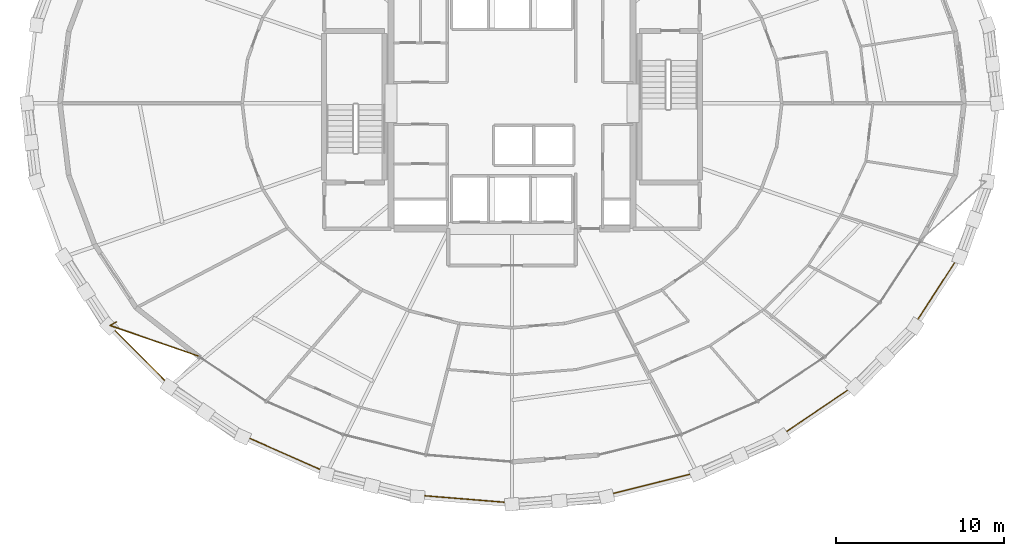
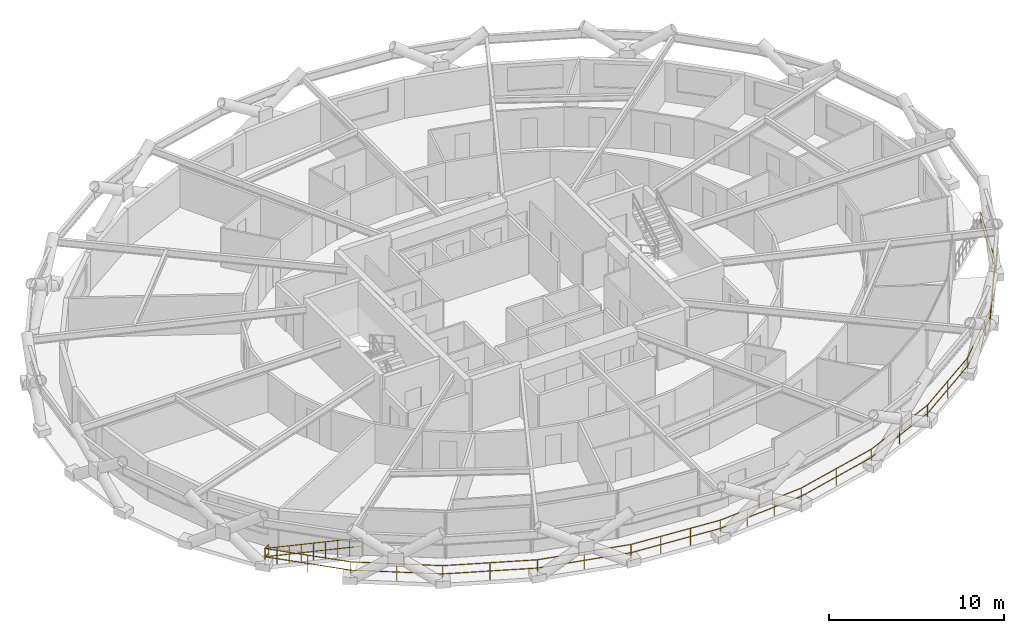
# One storey, part 20 of 21: 2 railings.
"""IFC4 building model written with IfcOpenShell, lengths in metres."""

from ifc_helpers import new_model, si_unit, direction, frame, origin, origin_2d, place, context, subcontext, project, spatial, circle, extrude, material, type_object, element, save


model = new_model("IFC4")

# Units and contexts
model_context = context("Model", 3, precision=1e-05, world=origin(), true_north=direction((0.0, 1.0)))
body_context = subcontext(model_context, "Body", "Model", "MODEL_VIEW")
ifc_project = project(units=[si_unit("LENGTHUNIT", "METRE"), si_unit("AREAUNIT", "SQUARE_METRE"), si_unit("VOLUMEUNIT", "CUBIC_METRE"), si_unit("PLANEANGLEUNIT", "RADIAN"), si_unit("MASSUNIT", "GRAM", prefix="KILO")], contexts=[model_context])

# Site, building, storey
site_placement = place(None, origin())
site = spatial("IfcSite", under=ifc_project, at=site_placement, CompositionType="ELEMENT")
building_placement = place(site_placement, origin())
building = spatial("IfcBuilding", under=site, at=building_placement, Name="Veldorina Hangang Commons", CompositionType="ELEMENT")
storey_placement = place(building_placement, frame((0.0, 0.0, 66.39990234375)))
storey = spatial("IfcBuildingStorey", under=building, at=storey_placement, Name="L16", CompositionType="ELEMENT", Elevation=66.39990234375)

# Railings
ifc_material = material(Name="Glass Laminated Safety Balustrade", Category="glass")
railing_type = type_object("IfcRailingType", Name="RL-BAL-LOGGIA", PredefinedType="BALUSTRADE", material=ifc_material)
railing_1_placement = place(storey_placement, frame((8.448486328125, 10.990478515625, 0.0)))
element("IfcRailing", 1, at=railing_1_placement, inside=storey, type_object=railing_type, Name="L16 sky-garden loggia end balustrade A", PredefinedType="BALUSTRADE", context=body_context, shape_type="SweptSolid", body=[
    extrude(circle(Radius=0.02392578125, at=origin_2d()), frame((0.0, 0.0, 1.17578125), z_axis=(-0.875552244301, -0.483123449544, 0.0), x_axis=(0.483123449544, -0.875552244301, 0.0)), (0.0, 0.0, 1.0), 0.419921875),
    extrude(circle(Radius=0.02392578125, at=origin_2d()), frame((0.0, 0.0, 0.60009765625), z_axis=(-0.875552244301, -0.483123449544, 0.0), x_axis=(0.483123449544, -0.875552244301, 0.0)), (0.0, 0.0, 1.0), 0.419921875),
    extrude(circle(Radius=0.02392578125, at=origin_2d()), frame((-0.36767578125, -0.202880859375, 1.17578125), z_axis=(0.944954170027, -0.327202714763, 0.0), x_axis=(0.327202714763, 0.944954170027, 0.0)), (0.0, 0.0, 1.0), 5.6416015625),
    extrude(circle(Radius=0.02392578125, at=origin_2d()), frame((-0.36767578125, -0.202880859375, 0.60009765625), z_axis=(0.944954170027, -0.327202714763, 0.0), x_axis=(0.327202714763, 0.944954170027, 0.0)), (0.0, 0.0, 1.0), 5.6416015625),
    extrude(circle(Radius=0.02099609375, at=origin_2d()), origin(), (0.0, 0.0, 1.0), 1.15185546875),
    extrude(circle(Radius=0.02099609375, at=origin_2d()), frame((-0.36767578125, -0.202880859375, 0.0)), (0.0, 0.0, 1.0), 1.15185546875),
    extrude(circle(Radius=0.02099609375, at=origin_2d()), frame((0.298828125, -0.43359375, 0.0)), (0.0, 0.0, 1.0), 1.15185546875),
    extrude(circle(Radius=0.02099609375, at=origin_2d()), frame((0.965087890625, -0.664306640625, 0.0)), (0.0, 0.0, 1.0), 1.15185546875),
    extrude(circle(Radius=0.02099609375, at=origin_2d()), frame((1.63134765625, -0.89501953125, 0.0)), (0.0, 0.0, 1.0), 1.15185546875),
    extrude(circle(Radius=0.02099609375, at=origin_2d()), frame((2.2978515625, -1.1259765625, 0.0)), (0.0, 0.0, 1.0), 1.15185546875),
    extrude(circle(Radius=0.02099609375, at=origin_2d()), frame((2.96435546875, -1.356689453125, 0.0)), (0.0, 0.0, 1.0), 1.15185546875),
    extrude(circle(Radius=0.02099609375, at=origin_2d()), frame((3.630615234375, -1.58740234375, 0.0)), (0.0, 0.0, 1.0), 1.15185546875),
    extrude(circle(Radius=0.02099609375, at=origin_2d()), frame((4.296875, -1.818115234375, 0.0)), (0.0, 0.0, 1.0), 1.15185546875),
    extrude(circle(Radius=0.02099609375, at=origin_2d()), frame((4.96337890625, -2.048828125, 0.0)), (0.0, 0.0, 1.0), 1.15185546875),
])
railing_2_placement = place(storey_placement, frame((8.080810546875, 10.78759765625, 0.0)))
element("IfcRailing", 2, at=railing_2_placement, inside=storey, type_object=railing_type, Name="L16 sky-garden loggia outer balustrade", PredefinedType="BALUSTRADE", context=body_context, shape_type="SweptSolid", body=[
    extrude(circle(Radius=0.02392578125, at=origin_2d()), frame((0.0, 0.0, 1.17578125), z_axis=(0.704891972987, -0.709314673765, 0.0), x_axis=(0.709314673765, 0.704891972987, 0.0)), (0.0, 0.0, 1.0), 5.07861328125),
    extrude(circle(Radius=0.02392578125, at=origin_2d()), frame((0.0, 0.0, 0.60009765625), z_axis=(0.704891972987, -0.709314673765, 0.0), x_axis=(0.709314673765, 0.704891972987, 0.0)), (0.0, 0.0, 1.0), 5.07861328125),
    extrude(circle(Radius=0.02392578125, at=origin_2d()), frame((3.579833984375, -3.602294921875, 1.17578125), z_axis=(0.827840927156, -0.560962921525, 0.0), x_axis=(0.560962921525, 0.827840927156, 0.0)), (0.0, 0.0, 1.0), 5.267333984375),
    extrude(circle(Radius=0.02392578125, at=origin_2d()), frame((3.579833984375, -3.602294921875, 0.60009765625), z_axis=(0.827840927156, -0.560962921525, 0.0), x_axis=(0.560962921525, 0.827840927156, 0.0)), (0.0, 0.0, 1.0), 5.267333984375),
    extrude(circle(Radius=0.02392578125, at=origin_2d()), frame((7.9404296875, -6.55712890625, 1.17578125), z_axis=(0.914878774585, -0.403728656171, 0.0), x_axis=(0.403728656171, 0.914878774585, 0.0)), (0.0, 0.0, 1.0), 5.436279296875),
    extrude(circle(Radius=0.02392578125, at=origin_2d()), frame((7.9404296875, -6.55712890625, 0.60009765625), z_axis=(0.914878774585, -0.403728656171, 0.0), x_axis=(0.403728656171, 0.914878774585, 0.0)), (0.0, 0.0, 1.0), 5.436279296875),
    extrude(circle(Radius=0.02392578125, at=origin_2d()), frame((12.9140625, -8.751953125, 1.17578125), z_axis=(0.970046887591, -0.24291775537, 0.0), x_axis=(0.24291775537, 0.970046887591, 0.0)), (0.0, 0.0, 1.0), 5.561767578125),
    extrude(circle(Radius=0.02392578125, at=origin_2d()), frame((12.9140625, -8.751953125, 0.60009765625), z_axis=(0.970046887591, -0.24291775537, 0.0), x_axis=(0.24291775537, 0.970046887591, 0.0)), (0.0, 0.0, 1.0), 5.561767578125),
    extrude(circle(Radius=0.02392578125, at=origin_2d()), frame((18.309326171875, -10.10302734375, 1.17578125), z_axis=(0.996711838545, -0.0810278403, 0.0), x_axis=(0.0810278403, 0.996711838545, 0.0)), (0.0, 0.0, 1.0), 5.62841796875),
    extrude(circle(Radius=0.02392578125, at=origin_2d()), frame((18.309326171875, -10.10302734375, 0.60009765625), z_axis=(0.996711838545, -0.0810278403, 0.0), x_axis=(0.0810278403, 0.996711838545, 0.0)), (0.0, 0.0, 1.0), 5.62841796875),
    extrude(circle(Radius=0.02392578125, at=origin_2d()), frame((23.919189453125, -10.55908203125, 1.17578125), z_axis=(0.996711838545, 0.0810278403, 0.0), x_axis=(-0.0810278403, 0.996711838545, 0.0)), (0.0, 0.0, 1.0), 5.62841796875),
    extrude(circle(Radius=0.02392578125, at=origin_2d()), frame((23.919189453125, -10.55908203125, 0.60009765625), z_axis=(0.996711838545, 0.0810278403, 0.0), x_axis=(-0.0810278403, 0.996711838545, 0.0)), (0.0, 0.0, 1.0), 5.62841796875),
    extrude(circle(Radius=0.02392578125, at=origin_2d()), frame((29.529052734375, -10.10302734375, 1.17578125), z_axis=(0.970046887591, 0.24291775537, 0.0), x_axis=(-0.24291775537, 0.970046887591, 0.0)), (0.0, 0.0, 1.0), 5.561767578125),
    extrude(circle(Radius=0.02392578125, at=origin_2d()), frame((29.529052734375, -10.10302734375, 0.60009765625), z_axis=(0.970046887591, 0.24291775537, 0.0), x_axis=(-0.24291775537, 0.970046887591, 0.0)), (0.0, 0.0, 1.0), 5.561767578125),
    extrude(circle(Radius=0.02392578125, at=origin_2d()), frame((34.92431640625, -8.751953125, 1.17578125), z_axis=(0.914878774585, 0.403728656171, 0.0), x_axis=(-0.403728656171, 0.914878774585, 0.0)), (0.0, 0.0, 1.0), 5.436279296875),
    extrude(circle(Radius=0.02392578125, at=origin_2d()), frame((34.92431640625, -8.751953125, 0.60009765625), z_axis=(0.914878774585, 0.403728656171, 0.0), x_axis=(-0.403728656171, 0.914878774585, 0.0)), (0.0, 0.0, 1.0), 5.436279296875),
    extrude(circle(Radius=0.02392578125, at=origin_2d()), frame((39.89794921875, -6.55712890625, 1.17578125), z_axis=(0.827840927156, 0.560962921525, 0.0), x_axis=(-0.560962921525, 0.827840927156, 0.0)), (0.0, 0.0, 1.0), 5.267333984375),
    extrude(circle(Radius=0.02392578125, at=origin_2d()), frame((39.89794921875, -6.55712890625, 0.60009765625), z_axis=(0.827840927156, 0.560962921525, 0.0), x_axis=(-0.560962921525, 0.827840927156, 0.0)), (0.0, 0.0, 1.0), 5.267333984375),
    extrude(circle(Radius=0.02392578125, at=origin_2d()), frame((44.258544921875, -3.602294921875, 1.17578125), z_axis=(0.704891972987, 0.709314673765, 0.0), x_axis=(-0.709314673765, 0.704891972987, 0.0)), (0.0, 0.0, 1.0), 5.07861328125),
    extrude(circle(Radius=0.02392578125, at=origin_2d()), frame((44.258544921875, -3.602294921875, 0.60009765625), z_axis=(0.704891972987, 0.709314673765, 0.0), x_axis=(-0.709314673765, 0.704891972987, 0.0)), (0.0, 0.0, 1.0), 5.07861328125),
    extrude(circle(Radius=0.02392578125, at=origin_2d()), frame((47.83837890625, 0.0, 1.17578125), z_axis=(0.543338106805, 0.839513967539, 0.0), x_axis=(-0.839513967539, 0.543338106805, 0.0)), (0.0, 0.0, 1.0), 4.896484375),
    extrude(circle(Radius=0.02392578125, at=origin_2d()), frame((47.83837890625, 0.0, 0.60009765625), z_axis=(0.543338106805, 0.839513967539, 0.0), x_axis=(-0.839513967539, 0.543338106805, 0.0)), (0.0, 0.0, 1.0), 4.896484375),
    extrude(circle(Radius=0.02392578125, at=origin_2d()), frame((50.498779296875, 4.110595703125, 1.17578125), z_axis=(0.344760197411, 0.938690793755, 0.0), x_axis=(-0.938690793755, 0.344760197411, 0.0)), (0.0, 0.0, 1.0), 4.753173828125),
    extrude(circle(Radius=0.02392578125, at=origin_2d()), frame((50.498779296875, 4.110595703125, 0.60009765625), z_axis=(0.344760197411, 0.938690793755, 0.0), x_axis=(-0.938690793755, 0.344760197411, 0.0)), (0.0, 0.0, 1.0), 4.753173828125),
    extrude(circle(Radius=0.02099609375, at=origin_2d()), origin(), (0.0, 0.0, 1.0), 1.15185546875),
    extrude(circle(Radius=0.02099609375, at=origin_2d()), frame((1.7900390625, -1.80126953125, 0.0)), (0.0, 0.0, 1.0), 1.15185546875),
    extrude(circle(Radius=0.02099609375, at=origin_2d()), frame((3.579833984375, -3.602294921875, 0.0)), (0.0, 0.0, 1.0), 1.15185546875),
    extrude(circle(Radius=0.02099609375, at=origin_2d()), frame((5.76025390625, -5.07958984375, 0.0)), (0.0, 0.0, 1.0), 1.15185546875),
    extrude(circle(Radius=0.02099609375, at=origin_2d()), frame((7.9404296875, -6.55712890625, 0.0)), (0.0, 0.0, 1.0), 1.15185546875),
    extrude(circle(Radius=0.02099609375, at=origin_2d()), frame((10.42724609375, -7.654541015625, 0.0)), (0.0, 0.0, 1.0), 1.15185546875),
    extrude(circle(Radius=0.02099609375, at=origin_2d()), frame((12.9140625, -8.751953125, 0.0)), (0.0, 0.0, 1.0), 1.15185546875),
    extrude(circle(Radius=0.02099609375, at=origin_2d()), frame((15.61181640625, -9.427490234375, 0.0)), (0.0, 0.0, 1.0), 1.15185546875),
    extrude(circle(Radius=0.02099609375, at=origin_2d()), frame((18.309326171875, -10.10302734375, 0.0)), (0.0, 0.0, 1.0), 1.15185546875),
    extrude(circle(Radius=0.02099609375, at=origin_2d()), frame((20.17919921875, -10.255126953125, 0.0)), (0.0, 0.0, 1.0), 1.15185546875),
    extrude(circle(Radius=0.02099609375, at=origin_2d()), frame((22.04931640625, -10.406982421875, 0.0)), (0.0, 0.0, 1.0), 1.15185546875),
    extrude(circle(Radius=0.02099609375, at=origin_2d()), frame((23.919189453125, -10.55908203125, 0.0)), (0.0, 0.0, 1.0), 1.15185546875),
    extrude(circle(Radius=0.02099609375, at=origin_2d()), frame((25.7890625, -10.406982421875, 0.0)), (0.0, 0.0, 1.0), 1.15185546875),
    extrude(circle(Radius=0.02099609375, at=origin_2d()), frame((27.6591796875, -10.255126953125, 0.0)), (0.0, 0.0, 1.0), 1.15185546875),
    extrude(circle(Radius=0.02099609375, at=origin_2d()), frame((29.529052734375, -10.10302734375, 0.0)), (0.0, 0.0, 1.0), 1.15185546875),
    extrude(circle(Radius=0.02099609375, at=origin_2d()), frame((32.2265625, -9.427490234375, 0.0)), (0.0, 0.0, 1.0), 1.15185546875),
    extrude(circle(Radius=0.02099609375, at=origin_2d()), frame((34.92431640625, -8.751953125, 0.0)), (0.0, 0.0, 1.0), 1.15185546875),
    extrude(circle(Radius=0.02099609375, at=origin_2d()), frame((37.4111328125, -7.654541015625, 0.0)), (0.0, 0.0, 1.0), 1.15185546875),
    extrude(circle(Radius=0.02099609375, at=origin_2d()), frame((39.89794921875, -6.55712890625, 0.0)), (0.0, 0.0, 1.0), 1.15185546875),
    extrude(circle(Radius=0.02099609375, at=origin_2d()), frame((42.078125, -5.07958984375, 0.0)), (0.0, 0.0, 1.0), 1.15185546875),
    extrude(circle(Radius=0.02099609375, at=origin_2d()), frame((44.258544921875, -3.602294921875, 0.0)), (0.0, 0.0, 1.0), 1.15185546875),
    extrude(circle(Radius=0.02099609375, at=origin_2d()), frame((46.04833984375, -1.80126953125, 0.0)), (0.0, 0.0, 1.0), 1.15185546875),
    extrude(circle(Radius=0.02099609375, at=origin_2d()), frame((47.83837890625, 0.0, 0.0)), (0.0, 0.0, 1.0), 1.15185546875),
    extrude(circle(Radius=0.02099609375, at=origin_2d()), frame((49.16845703125, 2.05517578125, 0.0)), (0.0, 0.0, 1.0), 1.15185546875),
    extrude(circle(Radius=0.02099609375, at=origin_2d()), frame((50.498779296875, 4.110595703125, 0.0)), (0.0, 0.0, 1.0), 1.15185546875),
    extrude(circle(Radius=0.02099609375, at=origin_2d()), frame((51.318115234375, 6.34130859375, 0.0)), (0.0, 0.0, 1.0), 1.15185546875),
    extrude(circle(Radius=0.02099609375, at=origin_2d()), frame((52.137451171875, 8.572265625, 0.0)), (0.0, 0.0, 1.0), 1.15185546875),
])

save(model, "model.ifc")
